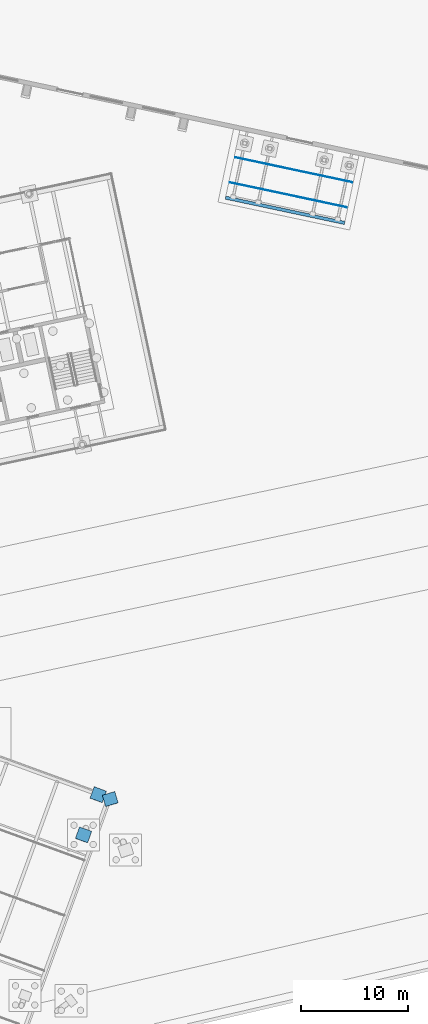
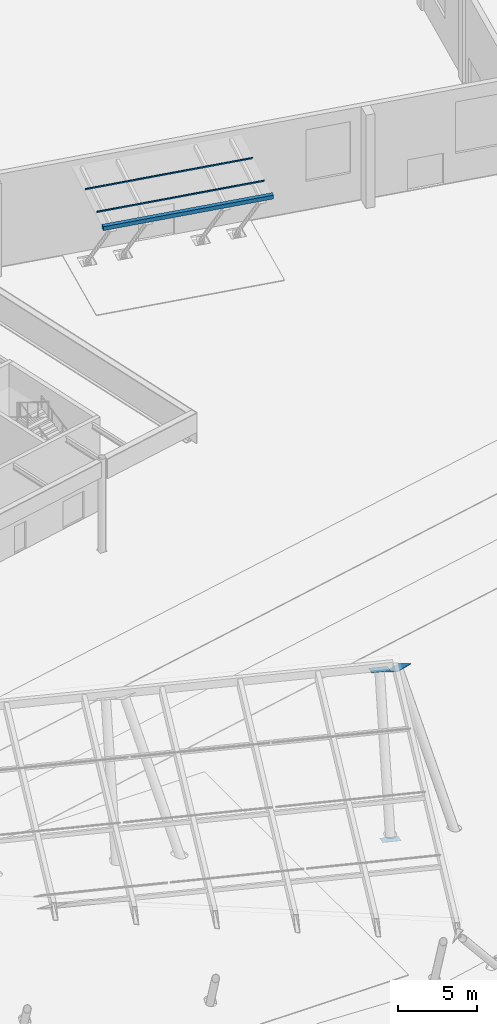
# One storey, part 197 of 239: 6 discrete accessories.
"""IFC4 building model written with IfcOpenShell, lengths in metres."""

from ifc_helpers import new_model, si_unit, direction, frame, origin, origin_2d, place, context, subcontext, project, spatial, polyline, rectangle, outline, extrude, material, layer, layer_set, type_object, element, save


model = new_model("IFC4")

# Units and contexts
model_context = context("Model", 3, precision=1e-05, world=origin(), true_north=direction((0.0, 1.0)))
body_context = subcontext(model_context, "Body", "Model", "MODEL_VIEW")
ifc_project = project(units=[si_unit("LENGTHUNIT", "METRE"), si_unit("AREAUNIT", "SQUARE_METRE"), si_unit("VOLUMEUNIT", "CUBIC_METRE"), si_unit("PLANEANGLEUNIT", "RADIAN"), si_unit("MASSUNIT", "GRAM", prefix="KILO")], contexts=[model_context])

# Site, building, storey
site_placement = place(None, origin())
site = spatial("IfcSite", under=ifc_project, at=site_placement, CompositionType="ELEMENT")
building_placement = place(site_placement, origin())
building = spatial("IfcBuilding", under=site, at=building_placement, Name="Okhra Congress Centre", CompositionType="ELEMENT")
storey_placement = place(building_placement, origin())
storey = spatial("IfcBuildingStorey", under=building, at=storey_placement, Name="L00", CompositionType="ELEMENT", Elevation=0.0)

# Discrete accessories
ifc_material_1 = material(Name="Steel S355J2", Category="steel")
ifc_layer = layer(ifc_material_1, 0.02001953125)
ifc_layer_set = layer_set([ifc_layer], Name="Brace end connection plate 20 mm S355")
discrete_accessory_type_1 = type_object("IfcDiscreteAccessoryType", Name="Brace end connection plate 20 mm S355", PredefinedType="BRACKET", material=ifc_layer_set)
discrete_accessory_1_placement = place(storey_placement, frame((210.7919921875, 22.086181640625, -0.39990234375), z_axis=(-0.121152060697, -0.339225769953, -0.932870867371), x_axis=(0.941741911595, -0.336336396998, 0.0)))
element("IfcDiscreteAccessory", 1, at=discrete_accessory_1_placement, inside=storey, type_object=discrete_accessory_type_1, Name="Brace end connection plate", PredefinedType="BRACKET", context=body_context, shape_type="SweptSolid", body=[
    extrude(rectangle(XDim=1.219970703125, YDim=1.219970703125, at=origin_2d()), origin(), (0.0, 0.0, 1.0), 0.020263671875),
])
discrete_accessory_2_placement = place(storey_placement, frame((212.159912109375, 25.844970703125, 10.01953125), z_axis=(0.12304489189, 0.332221208102, 0.935141178361), x_axis=(-0.937748760724, 0.347314355824, 0.0)))
element("IfcDiscreteAccessory", 2, at=discrete_accessory_2_placement, inside=storey, type_object=discrete_accessory_type_1, Name="Brace end connection plate", PredefinedType="BRACKET", context=body_context, shape_type="SweptSolid", body=[
    extrude(rectangle(XDim=1.219970703125, YDim=1.219970703125, at=origin_2d()), origin(), (0.0, 0.0, 1.0), 0.019775390625),
])
discrete_accessory_3_placement = place(storey_placement, frame((213.28759765625, 25.4345703125, 10.01953125), z_axis=(-0.121878737355, 0.414387707005, 0.901902656423), x_axis=(-0.959365501571, -0.282166323992, 0.0)))
element("IfcDiscreteAccessory", 3, at=discrete_accessory_3_placement, inside=storey, type_object=discrete_accessory_type_1, Name="Brace end connection plate", PredefinedType="BRACKET", context=body_context, shape_type="SweptSolid", body=[
    extrude(rectangle(XDim=1.219970703125, YDim=1.219970703125, at=origin_2d()), origin(), (0.0, 0.0, 1.0), 0.02001953125),
])
ifc_material_2 = material(Name="Stainless steel box gutter with self-regulating heating cable", Category="steel")
discrete_accessory_type_2 = type_object("IfcDiscreteAccessoryType", Name="Heated eaves gutter 300x300", PredefinedType="USERDEFINED", material=ifc_material_2)
discrete_accessory_4_placement = place(storey_placement, frame((229.657958984375, 80.5673828125, 6.158203125), z_axis=(0.0, 0.0, 1.0), x_axis=(0.978147600734, -0.207911690818, 0.0)))
element("IfcDiscreteAccessory", 4, at=discrete_accessory_4_placement, inside=storey, type_object=discrete_accessory_type_2, Name="Heated eaves gutter", ObjectType="HEATED GUTTER", PredefinedType="USERDEFINED", context=body_context, shape_type="SweptSolid", body=[
    extrude(rectangle(XDim=11.39990234375, YDim=0.300048828125, at=origin_2d()), origin(), (0.0, 0.0, 1.0), 0.300048828125),
])
ifc_material_3 = material(Name="Stainless steel snow retention bar clamped to the standing seams", Category="steel")
discrete_accessory_type_3 = type_object("IfcDiscreteAccessoryType", Name="Snow guard bar 40x120", PredefinedType="USERDEFINED", material=ifc_material_3)
discrete_accessory_5_placement = place(storey_placement, frame((224.48193359375, 83.14990234375, 6.570556640625), z_axis=(-0.01512221998, -0.071143243334, 0.997351471343), x_axis=(0.978146882715, -0.207915068803, 0.0)))
element("IfcDiscreteAccessory", 5, at=discrete_accessory_5_placement, inside=storey, type_object=discrete_accessory_type_3, Name="Snow guard bar", ObjectType="SNOW GUARD", PredefinedType="USERDEFINED", context=body_context, shape_type="SweptSolid", body=[
    extrude(outline(polyline([(0.0, 0.0), (11.199829308452312, 0.0), (11.199776248866131, 0.04028020878932012), (-5.305958618156623e-05, 0.04028020878932013), (0.0, 0.0)])), origin(), (0.0, 0.0, -1.0), 0.1201171875),
])
discrete_accessory_6_placement = place(storey_placement, frame((224.98095703125, 85.49755859375, 6.738525390625), z_axis=(-0.013950451273, -0.065630598608, 0.997746465509), x_axis=(0.978146882715, -0.207915068803, 0.0)))
element("IfcDiscreteAccessory", 6, at=discrete_accessory_6_placement, inside=storey, type_object=discrete_accessory_type_3, Name="Snow guard bar", ObjectType="SNOW GUARD", PredefinedType="USERDEFINED", context=body_context, shape_type="SweptSolid", body=[
    extrude(outline(polyline([(0.0, 0.0), (11.199829308452312, 0.0), (11.199827009380975, 0.040024917643168595), (-2.2990713370550595e-06, 0.0400249176431688), (0.0, 0.0)])), origin(), (0.0, 0.0, -1.0), 0.1201171875),
])

save(model, "model.ifc")
